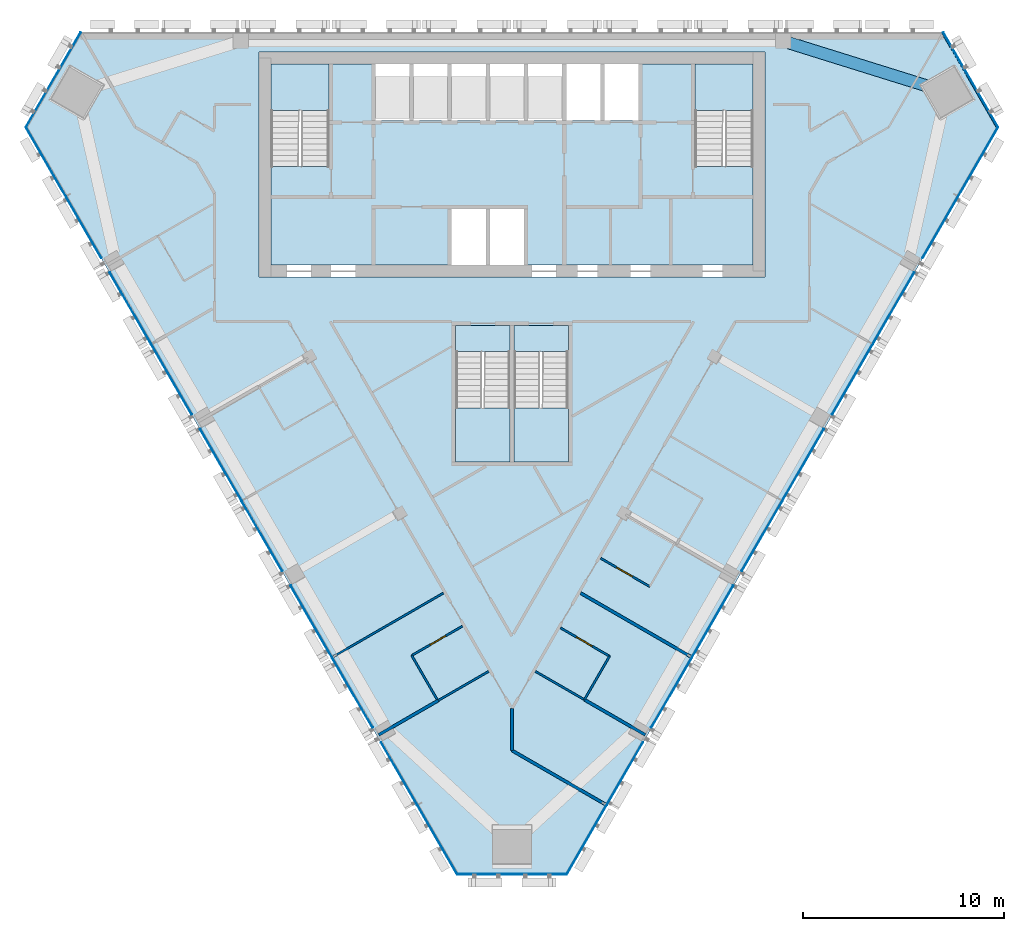
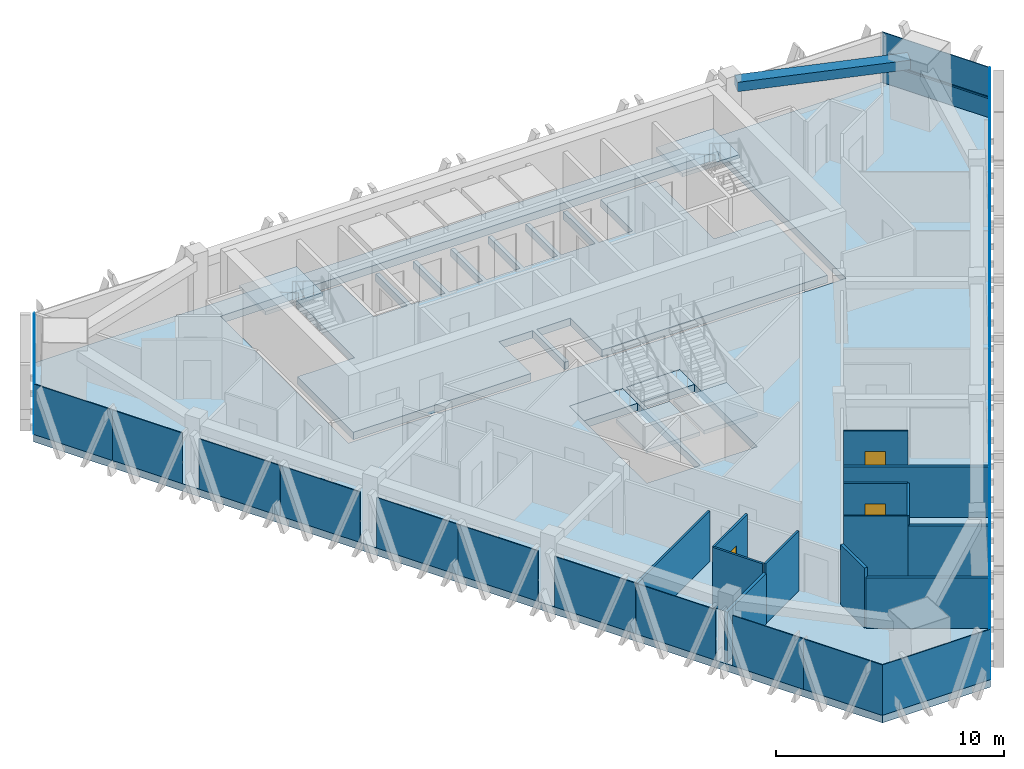
# One storey, part 7 of 14: 23 plates, 13 walls, 8 slabs, 3 doors, 1 beam, 1 member, 3 openings, 9 elements without a shape of their own.
"""IFC4 building model written with IfcOpenShell, lengths in metres."""

from ifc_helpers import new_model, si_unit, direction, frame, frame_2d, origin, origin_2d, place, context, subcontext, project, spatial, polyline, rectangle, outline, extrude, material, layer, layer_set, material_profile, profile_set, type_object, element, fill, aggregate, save


model = new_model("IFC4")

# Units and contexts
model_context = context("Model", 3, precision=1e-05, world=origin(), true_north=direction((0.0, 1.0)))
body_context = subcontext(model_context, "Body", "Model", "MODEL_VIEW")
ifc_project = project(units=[si_unit("LENGTHUNIT", "METRE"), si_unit("AREAUNIT", "SQUARE_METRE"), si_unit("VOLUMEUNIT", "CUBIC_METRE"), si_unit("PLANEANGLEUNIT", "RADIAN"), si_unit("MASSUNIT", "GRAM", prefix="KILO")], contexts=[model_context])

# Site, building, storey
site_placement = place(None, origin())
site = spatial("IfcSite", under=ifc_project, at=site_placement, CompositionType="ELEMENT")
building_placement = place(site_placement, origin())
building = spatial("IfcBuilding", under=site, at=building_placement, Name="Altiplano Prism Tower", CompositionType="ELEMENT")
storey_placement = place(building_placement, frame((0.0, 0.0, 239.199951171875)))
storey = spatial("IfcBuildingStorey", under=building, at=storey_placement, Name="L61", CompositionType="ELEMENT", Elevation=239.199951171875)

# Curtain wall, member
ifc_material_1 = material(Name="Aluminium and glass", Category="aluminium")
ifc_layer_1 = layer(ifc_material_1, 0.280029296875)
ifc_layer_set_1 = layer_set([ifc_layer_1], Name="Aluminium and glass")
curtain_wall_type = type_object("IfcCurtainWallType", Name="CW1 typical co-living unitised curtain wall", PredefinedType="NOTDEFINED", material=ifc_layer_set_1)
curtain_wall_1_placement = place(storey_placement, origin())
curtain_wall_1 = element("IfcCurtainWall", 1, at=curtain_wall_1_placement, inside=storey, type_object=curtain_wall_type, Name="CW1 curtain wall north-east chamfer L61", PredefinedType="NOTDEFINED")
ifc_material_2 = material(Name="Aluminium", Category="aluminium")
ifc_material_profile_1 = material_profile(ifc_material_2, rectangle(XDim=0.06005859375, YDim=0.080078125, at=origin_2d()), Name="CW1 transom 80 x 60")
ifc_profile_set_1 = profile_set([ifc_material_profile_1], Name="Aluminium")
member_type = type_object("IfcMemberType", Name="CW1 transom 80 x 60", PredefinedType="USERDEFINED", material=ifc_profile_set_1)
member_placement = place(storey_placement, frame((109.151123046875, 100.23388671875, 1.10009765625), z_axis=(-0.500017734461, 0.866015164547, 0.0), x_axis=(-0.866015164547, -0.500017734461, 0.0)))
member = element("IfcMember", 2, at=member_placement, type_object=member_type, Name="CW1 transom", ObjectType="TRANSOM", PredefinedType="USERDEFINED", context=body_context, shape_type="SweptSolid", body=[
    extrude(rectangle(XDim=0.06005859375, YDim=0.080078125, at=origin_2d()), origin(), (0.0, 0.0, 1.0), 5.463134765625),
])

# Beam
ifc_material_3 = material(Name="Concrete C60/75", Category="concrete")
ifc_material_profile_2 = material_profile(ifc_material_3, rectangle(XDim=0.60009765625, YDim=0.5, at=origin_2d()), Name="Edge beam 600x500")
ifc_profile_set_2 = profile_set([ifc_material_profile_2], Name="Concrete C60/75")
beam_type = type_object("IfcBeamType", Name="Edge beam 600x500", PredefinedType="SPANDREL", material=ifc_profile_set_2)
beam_placement = place(storey_placement, frame((106.188232421875, 102.15185546875, 2.949951171875), z_axis=(-0.954636177286, 0.297774695058, 0.0), x_axis=(-0.297774695058, -0.954636177286, 0.0)))
element("IfcBeam", 3, at=beam_placement, inside=storey, type_object=beam_type, Name="Edge beam M2-P01 L62", PredefinedType="SPANDREL", context=body_context, shape_type="SweptSolid", body=[
    extrude(rectangle(XDim=0.60009765625, YDim=0.5, at=origin_2d()), origin(), (0.0, 0.0, 1.0), 7.78076171875),
])

# Curtain wall, plate
curtain_wall_2_placement = place(storey_placement, origin())
curtain_wall_2 = element("IfcCurtainWall", 4, at=curtain_wall_2_placement, inside=storey, type_object=curtain_wall_type, Name="CW1 curtain wall north-west chamfer L61", PredefinedType="NOTDEFINED")
ifc_material_4 = material(Name="Clear glass", Category="glass")
ifc_layer_2 = layer(ifc_material_4, 0.0400390625)
ifc_layer_set_2 = layer_set([ifc_layer_2], Name="Clear glass")
plate_type = type_object("IfcPlateType", Name="CW1 insulated glass unit 40", PredefinedType="CURTAIN_PANEL", material=ifc_layer_set_2)
plate_1_placement = place(storey_placement, frame((62.17138671875, 102.62451171875, 0.0), z_axis=(0.0, 0.0, 1.0), x_axis=(-0.499999932935, -0.866025442505, 0.0)))
plate_1 = element("IfcPlate", 5, at=plate_1_placement, type_object=plate_type, Name="CW1 panel", PredefinedType="CURTAIN_PANEL", context=body_context, shape_type="SweptSolid", body=[
    extrude(rectangle(XDim=5.453125, YDim=0.0400390625, at=origin_2d()), origin(), (0.0, 0.0, 1.0), 2.699951171875),
])
aggregate(curtain_wall_2, [plate_1])

# Curtain wall, plates
curtain_wall_3_placement = place(storey_placement, origin())
curtain_wall_3 = element("IfcCurtainWall", 6, at=curtain_wall_3_placement, inside=storey, type_object=curtain_wall_type, Name="CW1 curtain wall south-west face L61", PredefinedType="NOTDEFINED")
plate_2_placement = place(storey_placement, frame((61.80322265625, 98.551025390625, 0.0), z_axis=(0.0, 0.0, 1.0), x_axis=(0.500000001753, -0.866025402772, 0.0)))
plate_2 = element("IfcPlate", 7, at=plate_2_placement, type_object=plate_type, Name="CW1 panel", PredefinedType="CURTAIN_PANEL", context=body_context, shape_type="SweptSolid", body=[
    extrude(rectangle(XDim=3.97998046875, YDim=0.0400390625, at=origin_2d()), origin(), (0.0, 0.0, 1.0), 2.699951171875),
])
plate_3_placement = place(storey_placement, frame((63.6845703125, 95.29248046875, 0.0), z_axis=(0.0, 0.0, 1.0), x_axis=(0.500000001753, -0.866025402772, 0.0)))
plate_3 = element("IfcPlate", 8, at=plate_3_placement, type_object=plate_type, Name="CW1 panel", PredefinedType="CURTAIN_PANEL", context=body_context, shape_type="SweptSolid", body=[
    extrude(rectangle(XDim=3.525634765625, YDim=0.0400390625, at=origin_2d()), origin(), (0.0, 0.0, 1.0), 2.699951171875),
])
plate_4_placement = place(storey_placement, frame((66.0146484375, 91.256591796875, 0.0), z_axis=(0.0, 0.0, 1.0), x_axis=(0.500000001753, -0.866025402772, 0.0)))
plate_4 = element("IfcPlate", 9, at=plate_4_placement, type_object=plate_type, Name="CW1 panel", PredefinedType="CURTAIN_PANEL", context=body_context, shape_type="SweptSolid", body=[
    extrude(rectangle(XDim=4.114501953125, YDim=0.0400390625, at=origin_2d()), origin(), (0.0, 0.0, 1.0), 2.699951171875),
])
plate_5_placement = place(storey_placement, frame((68.05712890625, 87.718994140625, 0.0), z_axis=(0.0, 0.0, 1.0), x_axis=(0.500000001753, -0.866025402772, 0.0)))
plate_5 = element("IfcPlate", 10, at=plate_5_placement, type_object=plate_type, Name="CW1 panel", PredefinedType="CURTAIN_PANEL", context=body_context, shape_type="SweptSolid", body=[
    extrude(rectangle(XDim=4.035400390625, YDim=0.0400390625, at=origin_2d()), origin(), (0.0, 0.0, 1.0), 2.699951171875),
])
plate_6_placement = place(storey_placement, frame((70.5146484375, 83.46240234375, 0.0), z_axis=(0.0, 0.0, 1.0), x_axis=(0.500000001753, -0.866025402772, 0.0)))
plate_6 = element("IfcPlate", 11, at=plate_6_placement, type_object=plate_type, Name="CW1 panel", PredefinedType="CURTAIN_PANEL", context=body_context, shape_type="SweptSolid", body=[
    extrude(rectangle(XDim=4.114501953125, YDim=0.0400390625, at=origin_2d()), origin(), (0.0, 0.0, 1.0), 2.699951171875),
])
plate_7_placement = place(storey_placement, frame((72.55712890625, 79.9248046875, 0.0), z_axis=(0.0, 0.0, 1.0), x_axis=(0.500000001753, -0.866025402772, 0.0)))
plate_7 = element("IfcPlate", 12, at=plate_7_placement, type_object=plate_type, Name="CW1 panel", PredefinedType="CURTAIN_PANEL", context=body_context, shape_type="SweptSolid", body=[
    extrude(rectangle(XDim=4.035400390625, YDim=0.0400390625, at=origin_2d()), origin(), (0.0, 0.0, 1.0), 2.699951171875),
])
plate_8_placement = place(storey_placement, frame((75.0146484375, 75.668212890625, 0.0), z_axis=(0.0, 0.0, 1.0), x_axis=(0.500000001753, -0.866025402772, 0.0)))
plate_8 = element("IfcPlate", 13, at=plate_8_placement, type_object=plate_type, Name="CW1 panel", PredefinedType="CURTAIN_PANEL", context=body_context, shape_type="SweptSolid", body=[
    extrude(rectangle(XDim=4.114501953125, YDim=0.0400390625, at=origin_2d()), origin(), (0.0, 0.0, 1.0), 2.699951171875),
])
plate_9_placement = place(storey_placement, frame((77.05712890625, 72.130615234375, 0.0), z_axis=(0.0, 0.0, 1.0), x_axis=(0.500000001753, -0.866025402772, 0.0)))
plate_9 = element("IfcPlate", 14, at=plate_9_placement, type_object=plate_type, Name="CW1 panel", PredefinedType="CURTAIN_PANEL", context=body_context, shape_type="SweptSolid", body=[
    extrude(rectangle(XDim=4.035400390625, YDim=0.0400390625, at=origin_2d()), origin(), (0.0, 0.0, 1.0), 2.699951171875),
])
plate_10_placement = place(storey_placement, frame((79.38720703125, 68.0947265625, 0.0), z_axis=(0.0, 0.0, 1.0), x_axis=(0.500000001753, -0.866025402772, 0.0)))
plate_10 = element("IfcPlate", 15, at=plate_10_placement, type_object=plate_type, Name="CW1 panel", PredefinedType="CURTAIN_PANEL", context=body_context, shape_type="SweptSolid", body=[
    extrude(rectangle(XDim=3.6044921875, YDim=0.0400390625, at=origin_2d()), origin(), (0.0, 0.0, 1.0), 2.699951171875),
])
plate_11_placement = place(storey_placement, frame((81.288330078125, 64.802001953125, 0.0), z_axis=(0.0, 0.0, 1.0), x_axis=(0.500000001753, -0.866025402772, 0.0)))
plate_11 = element("IfcPlate", 16, at=plate_11_placement, type_object=plate_type, Name="CW1 panel", PredefinedType="CURTAIN_PANEL", context=body_context, shape_type="SweptSolid", body=[
    extrude(rectangle(XDim=3.97998046875, YDim=0.0400390625, at=origin_2d()), origin(), (0.0, 0.0, 1.0), 2.699951171875),
])
aggregate(curtain_wall_3, [plate_2, plate_3, plate_4, plate_5, plate_6, plate_7, plate_8, plate_9, plate_10, plate_11])

# Curtain wall, plate
curtain_wall_4_placement = place(storey_placement, origin())
curtain_wall_4 = element("IfcCurtainWall", 17, at=curtain_wall_4_placement, inside=storey, type_object=curtain_wall_type, Name="CW1 curtain wall south chamfer L61", PredefinedType="NOTDEFINED")
plate_12_placement = place(storey_placement, frame((85.0, 63.084228515625, 0.0), z_axis=(0.0, 0.0, 1.0), x_axis=(1.0, 0.0, 0.0)))
plate_12 = element("IfcPlate", 18, at=plate_12_placement, type_object=plate_type, Name="CW1 panel", PredefinedType="CURTAIN_PANEL", context=body_context, shape_type="SweptSolid", body=[
    extrude(rectangle(XDim=5.453125, YDim=0.0400390625, at=origin_2d()), origin(), (0.0, 0.0, 1.0), 2.699951171875),
])
aggregate(curtain_wall_4, [plate_12])

# Curtain wall, plates
curtain_wall_5_placement = place(storey_placement, origin())
curtain_wall_5 = element("IfcCurtainWall", 19, at=curtain_wall_5_placement, inside=storey, type_object=curtain_wall_type, Name="CW1 curtain wall south-east face L61", PredefinedType="NOTDEFINED")
plate_13_placement = place(storey_placement, frame((88.711669921875, 64.802001953125, 0.0), z_axis=(0.0, 0.0, 1.0), x_axis=(0.500000001753, 0.866025402772, 0.0)))
plate_13 = element("IfcPlate", 20, at=plate_13_placement, type_object=plate_type, Name="CW1 panel", PredefinedType="CURTAIN_PANEL", context=body_context, shape_type="SweptSolid", body=[
    extrude(rectangle(XDim=3.97998046875, YDim=0.0400390625, at=origin_2d()), origin(), (0.0, 0.0, 1.0), 2.699951171875),
])
plate_14_placement = place(storey_placement, frame((90.61279296875, 68.0947265625, 0.0), z_axis=(0.0, 0.0, 1.0), x_axis=(0.500000001753, 0.866025402772, 0.0)))
plate_14 = element("IfcPlate", 21, at=plate_14_placement, type_object=plate_type, Name="CW1 panel", PredefinedType="CURTAIN_PANEL", context=body_context, shape_type="SweptSolid", body=[
    extrude(rectangle(XDim=3.6044921875, YDim=0.0400390625, at=origin_2d()), origin(), (0.0, 0.0, 1.0), 2.699951171875),
])
plate_15_placement = place(storey_placement, frame((92.94287109375, 72.130615234375, 0.0), z_axis=(0.0, 0.0, 1.0), x_axis=(0.500000001753, 0.866025402772, 0.0)))
plate_15 = element("IfcPlate", 22, at=plate_15_placement, type_object=plate_type, Name="CW1 panel", PredefinedType="CURTAIN_PANEL", context=body_context, shape_type="SweptSolid", body=[
    extrude(rectangle(XDim=4.035400390625, YDim=0.0400390625, at=origin_2d()), origin(), (0.0, 0.0, 1.0), 2.699951171875),
])
plate_16_placement = place(storey_placement, frame((94.9853515625, 75.668212890625, 0.0), z_axis=(0.0, 0.0, 1.0), x_axis=(0.500000001753, 0.866025402772, 0.0)))
plate_16 = element("IfcPlate", 23, at=plate_16_placement, type_object=plate_type, Name="CW1 panel", PredefinedType="CURTAIN_PANEL", context=body_context, shape_type="SweptSolid", body=[
    extrude(rectangle(XDim=4.114501953125, YDim=0.0400390625, at=origin_2d()), origin(), (0.0, 0.0, 1.0), 2.699951171875),
])
plate_17_placement = place(storey_placement, frame((97.44287109375, 79.9248046875, 0.0), z_axis=(0.0, 0.0, 1.0), x_axis=(0.500000001753, 0.866025402772, 0.0)))
plate_17 = element("IfcPlate", 24, at=plate_17_placement, type_object=plate_type, Name="CW1 panel", PredefinedType="CURTAIN_PANEL", context=body_context, shape_type="SweptSolid", body=[
    extrude(rectangle(XDim=4.035400390625, YDim=0.0400390625, at=origin_2d()), origin(), (0.0, 0.0, 1.0), 2.699951171875),
])
plate_18_placement = place(storey_placement, frame((99.4853515625, 83.46240234375, 0.0), z_axis=(0.0, 0.0, 1.0), x_axis=(0.500000001753, 0.866025402772, 0.0)))
plate_18 = element("IfcPlate", 25, at=plate_18_placement, type_object=plate_type, Name="CW1 panel", PredefinedType="CURTAIN_PANEL", context=body_context, shape_type="SweptSolid", body=[
    extrude(rectangle(XDim=4.114501953125, YDim=0.0400390625, at=origin_2d()), origin(), (0.0, 0.0, 1.0), 2.699951171875),
])
plate_19_placement = place(storey_placement, frame((101.94287109375, 87.718994140625, 0.0), z_axis=(0.0, 0.0, 1.0), x_axis=(0.500000001753, 0.866025402772, 0.0)))
plate_19 = element("IfcPlate", 26, at=plate_19_placement, type_object=plate_type, Name="CW1 panel", PredefinedType="CURTAIN_PANEL", context=body_context, shape_type="SweptSolid", body=[
    extrude(rectangle(XDim=4.035400390625, YDim=0.0400390625, at=origin_2d()), origin(), (0.0, 0.0, 1.0), 2.699951171875),
])
plate_20_placement = place(storey_placement, frame((103.9853515625, 91.256591796875, 0.0), z_axis=(0.0, 0.0, 1.0), x_axis=(0.500000001753, 0.866025402772, 0.0)))
plate_20 = element("IfcPlate", 27, at=plate_20_placement, type_object=plate_type, Name="CW1 panel", PredefinedType="CURTAIN_PANEL", context=body_context, shape_type="SweptSolid", body=[
    extrude(rectangle(XDim=4.114501953125, YDim=0.0400390625, at=origin_2d()), origin(), (0.0, 0.0, 1.0), 2.699951171875),
])
plate_21_placement = place(storey_placement, frame((106.3154296875, 95.29248046875, 0.0), z_axis=(0.0, 0.0, 1.0), x_axis=(0.500000001753, 0.866025402772, 0.0)))
plate_21 = element("IfcPlate", 28, at=plate_21_placement, type_object=plate_type, Name="CW1 panel", PredefinedType="CURTAIN_PANEL", context=body_context, shape_type="SweptSolid", body=[
    extrude(rectangle(XDim=3.525634765625, YDim=0.0400390625, at=origin_2d()), origin(), (0.0, 0.0, 1.0), 2.699951171875),
])
plate_22_placement = place(storey_placement, frame((108.19677734375, 98.551025390625, 0.0), z_axis=(0.0, 0.0, 1.0), x_axis=(0.500000001753, 0.866025402772, 0.0)))
plate_22 = element("IfcPlate", 29, at=plate_22_placement, type_object=plate_type, Name="CW1 panel", PredefinedType="CURTAIN_PANEL", context=body_context, shape_type="SweptSolid", body=[
    extrude(rectangle(XDim=3.97998046875, YDim=0.0400390625, at=origin_2d()), origin(), (0.0, 0.0, 1.0), 2.699951171875),
])
aggregate(curtain_wall_5, [plate_13, plate_14, plate_15, plate_16, plate_17, plate_18, plate_19, plate_20, plate_21, plate_22])

# Plate
plate_23_placement = place(storey_placement, frame((107.82861328125, 102.62451171875, 0.0), z_axis=(0.0, 0.0, 1.0), x_axis=(-0.499999932935, 0.866025442505, 0.0)))
plate_23 = element("IfcPlate", 30, at=plate_23_placement, type_object=plate_type, Name="CW1 panel", PredefinedType="CURTAIN_PANEL", context=body_context, shape_type="SweptSolid", body=[
    extrude(rectangle(XDim=5.453125, YDim=0.0400390625, at=origin_2d()), origin(), (0.0, 0.0, 1.0), 2.699951171875),
])

aggregate(curtain_wall_1, [member, plate_23])

# Slabs
ifc_material_5 = material(Name="Concrete C40/50", Category="concrete")
ifc_layer_3 = layer(ifc_material_5, 0.39990234375)
ifc_layer_set_3 = layer_set([ifc_layer_3], Name="Concrete C40/50")
slab_type_1 = type_object("IfcSlabType", Name="Core floor slab 400", PredefinedType="FLOOR", material=ifc_layer_set_3)
slab_1_placement = place(storey_placement, frame((0.0, 0.0, -0.39990234375)))
element("IfcSlab", 31, at=slab_1_placement, inside=storey, type_object=slab_type_1, Name="Core floor slab L61", PredefinedType="FLOOR", context=body_context, shape_type="SweptSolid", body=[
    extrude(outline(polyline([(97.0, 98.31005859375), (94.10009765625, 98.31005859375), (94.10009765625, 103.39990234375), (91.300048828125, 103.39990234375), (91.300048828125, 100.60009765625), (89.60009765625, 100.60009765625), (89.60009765625, 103.39990234375), (89.39990234375, 103.39990234375), (89.39990234375, 100.60009765625), (87.699951171875, 100.60009765625), (87.699951171875, 103.39990234375), (87.5, 103.39990234375), (87.5, 100.60009765625), (85.800048828125, 100.60009765625), (85.800048828125, 103.39990234375), (85.60009765625, 103.39990234375), (85.60009765625, 100.60009765625), (83.89990234375, 100.60009765625), (83.89990234375, 103.39990234375), (83.699951171875, 103.39990234375), (83.699951171875, 100.60009765625), (82.0, 100.60009765625), (82.0, 103.39990234375), (81.800048828125, 103.39990234375), (81.800048828125, 100.60009765625), (80.10009765625, 100.60009765625), (80.10009765625, 103.39990234375), (79.89990234375, 103.39990234375), (79.89990234375, 100.60009765625), (78.199951171875, 100.60009765625), (78.199951171875, 103.39990234375), (75.89990234375, 103.39990234375), (75.89990234375, 98.31005859375), (73.0, 98.31005859375), (73.0, 93.39990234375), (82.0, 93.39990234375), (82.0, 96.199951171875), (83.699951171875, 96.199951171875), (83.699951171875, 93.39990234375), (83.89990234375, 93.39990234375), (83.89990234375, 96.199951171875), (85.60009765625, 96.199951171875), (85.60009765625, 93.39990234375), (97.0, 93.39990234375), (97.0, 98.31005859375)])), origin(), (0.0, 0.0, 1.0), 0.39990234375),
])
slab_2_placement = place(storey_placement, frame((0.0, 0.0, -0.39990234375)))
element("IfcSlab", 32, at=slab_2_placement, inside=storey, type_object=slab_type_1, Name="Stair 3A landing slab L61", PredefinedType="FLOOR", context=body_context, shape_type="SweptSolid", body=[
    extrude(outline(polyline([(82.199951171875, 89.096923828125), (84.89990234375, 89.096923828125), (84.89990234375, 90.39990234375), (82.199951171875, 90.39990234375), (82.199951171875, 89.096923828125)])), origin(), (0.0, 0.0, 1.0), 0.39990234375),
])
slab_3_placement = place(storey_placement, frame((0.0, 0.0, -0.39990234375)))
element("IfcSlab", 33, at=slab_3_placement, inside=storey, type_object=slab_type_1, Name="Stair 3B landing slab L61", PredefinedType="FLOOR", context=body_context, shape_type="SweptSolid", body=[
    extrude(outline(polyline([(85.10009765625, 89.096923828125), (87.800048828125, 89.096923828125), (87.800048828125, 90.39990234375), (85.10009765625, 90.39990234375), (85.10009765625, 89.096923828125)])), origin(), (0.0, 0.0, 1.0), 0.39990234375),
])
ifc_layer_4 = layer(ifc_material_5, 0.39990234375)
ifc_layer_set_4 = layer_set([ifc_layer_4], Name="Concrete C40/50")
slab_type_2 = type_object("IfcSlabType", Name="Post-tensioned flat slab 400", PredefinedType="FLOOR", material=ifc_layer_set_4)
slab_4_placement = place(storey_placement, frame((0.0, 0.0, -0.39990234375)))
element("IfcSlab", 34, at=slab_4_placement, inside=storey, type_object=slab_type_2, Name="Floor slab L61", PredefinedType="FLOOR", context=body_context, shape_type="SweptSolid", body=[
    extrude(outline(polyline([(82.2685546875, 63.064208984375), (60.788330078125, 100.268798828125), (63.519775390625, 105.0), (106.480224609375, 105.0), (109.211669921875, 100.268798828125), (87.7314453125, 63.064208984375), (82.2685546875, 63.064208984375)]), holes=[polyline([(72.39990234375, 104.0), (72.39990234375, 92.800048828125), (97.60009765625, 92.800048828125), (97.60009765625, 104.0), (72.39990234375, 104.0)]), polyline([(84.89990234375, 90.39990234375), (82.199951171875, 90.39990234375), (82.199951171875, 83.60009765625), (84.89990234375, 83.60009765625), (84.89990234375, 90.39990234375)]), polyline([(87.800048828125, 83.60009765625), (87.800048828125, 90.39990234375), (85.10009765625, 90.39990234375), (85.10009765625, 83.60009765625), (87.800048828125, 83.60009765625)])]), origin(), (0.0, 0.0, 1.0), 0.39990234375),
])

# Stair, slab
stair_type_1 = type_object("IfcStairType", Name="Exit stair 1400", PredefinedType="HALF_TURN_STAIR", material=ifc_material_5)
stair_1_placement = place(storey_placement, origin())
stair_1 = element("IfcStair", 35, at=stair_1_placement, inside=storey, type_object=stair_type_1, Name="L61 Exit Stair 1", PredefinedType="HALF_TURN_STAIR")
ifc_layer_5 = layer(ifc_material_5, 0.199951171875)
ifc_layer_set_5 = layer_set([ifc_layer_5], Name="Concrete C40/50")
slab_type_3 = type_object("IfcSlabType", Name="Stair landing 200", PredefinedType="LANDING", material=ifc_layer_set_5)
slab_5_placement = place(storey_placement, frame((0.0, 0.0, 1.60009765625)))
slab_5 = element("IfcSlab", 36, at=slab_5_placement, type_object=slab_type_3, Name="ST1 landing 1", PredefinedType="LANDING", context=body_context, shape_type="SweptSolid", body=[
    extrude(outline(polyline([(75.89990234375, 101.096923828125), (75.89990234375, 103.39990234375), (73.0, 103.39990234375), (73.0, 101.096923828125), (75.89990234375, 101.096923828125)])), origin(), (0.0, 0.0, 1.0), 0.199951171875),
])
aggregate(stair_1, [slab_5])

stair_2_placement = place(storey_placement, origin())
stair_2 = element("IfcStair", 37, at=stair_2_placement, inside=storey, type_object=stair_type_1, Name="L61 Exit Stair 2", PredefinedType="HALF_TURN_STAIR")
slab_6_placement = place(storey_placement, frame((0.0, 0.0, 1.60009765625)))
slab_6 = element("IfcSlab", 38, at=slab_6_placement, type_object=slab_type_3, Name="ST2 landing 1", PredefinedType="LANDING", context=body_context, shape_type="SweptSolid", body=[
    extrude(outline(polyline([(97.0, 101.096923828125), (97.0, 103.39990234375), (94.10009765625, 103.39990234375), (94.10009765625, 101.096923828125), (97.0, 101.096923828125)])), origin(), (0.0, 0.0, 1.0), 0.199951171875),
])
aggregate(stair_2, [slab_6])

stair_type_2 = type_object("IfcStairType", Name="Exit stair 1300", PredefinedType="HALF_TURN_STAIR", material=ifc_material_5)
stair_3_placement = place(storey_placement, origin())
stair_3 = element("IfcStair", 39, at=stair_3_placement, inside=storey, type_object=stair_type_2, Name="L61 Exit Stair 3A", PredefinedType="HALF_TURN_STAIR")
slab_7_placement = place(storey_placement, frame((0.0, 0.0, 1.60009765625)))
slab_7 = element("IfcSlab", 40, at=slab_7_placement, type_object=slab_type_3, Name="ST3A landing 1", PredefinedType="LANDING", context=body_context, shape_type="SweptSolid", body=[
    extrude(outline(polyline([(82.199951171875, 86.302978515625), (82.199951171875, 83.60009765625), (84.89990234375, 83.60009765625), (84.89990234375, 86.302978515625), (82.199951171875, 86.302978515625)])), origin(), (0.0, 0.0, 1.0), 0.199951171875),
])
aggregate(stair_3, [slab_7])

stair_4_placement = place(storey_placement, origin())
stair_4 = element("IfcStair", 41, at=stair_4_placement, inside=storey, type_object=stair_type_2, Name="L61 Exit Stair 3B", PredefinedType="HALF_TURN_STAIR")
slab_8_placement = place(storey_placement, frame((0.0, 0.0, 1.60009765625)))
slab_8 = element("IfcSlab", 42, at=slab_8_placement, type_object=slab_type_3, Name="ST3B landing 1", PredefinedType="LANDING", context=body_context, shape_type="SweptSolid", body=[
    extrude(outline(polyline([(85.10009765625, 86.302978515625), (85.10009765625, 83.60009765625), (87.800048828125, 83.60009765625), (87.800048828125, 86.302978515625), (85.10009765625, 86.302978515625)])), origin(), (0.0, 0.0, 1.0), 0.199951171875),
])
aggregate(stair_4, [slab_8])

# Wall
ifc_material_6 = material(Name="Plasterboard on steel stud", Category="steel")
ifc_layer_6 = layer(ifc_material_6, 0.10009765625)
ifc_layer_set_6 = layer_set([ifc_layer_6], Name="Plasterboard on steel stud")
wall_type_1 = type_object("IfcWallType", Name="Partition 100 unit", PredefinedType="PARTITIONING", material=ifc_layer_set_6)
wall_1_placement = place(storey_placement, frame((81.27197265625, 71.7900390625, 0.0), z_axis=(0.0, 0.0, 1.0), x_axis=(-0.499976333282, 0.866039067339, 0.0)))
element("IfcWall", 43, at=wall_1_placement, inside=storey, type_object=wall_type_1, Name="Partition P02 L61 040", PredefinedType="PARTITIONING", context=body_context, shape_type="SweptSolid", body=[
    extrude(rectangle(XDim=2.52490234375, YDim=0.10009765625, at=frame_2d((1.262451171875, 0.0))), origin(), (0.0, 0.0, 1.0), 3.199951171875),
])

# Wall, opening, door
wall_2_placement = place(storey_placement, frame((80.009521484375, 73.976806640625, 0.0), z_axis=(0.0, 0.0, 1.0), x_axis=(0.86601045545, 0.500025890382, 0.0)))
wall_2 = element("IfcWall", 44, at=wall_2_placement, inside=storey, type_object=wall_type_1, Name="Partition P02 L61 041", PredefinedType="PARTITIONING", context=body_context, shape_type="SweptSolid", body=[
    extrude(rectangle(XDim=2.925048828125, YDim=0.10009765625, at=frame_2d((1.46240234375, 0.0))), origin(), (0.0, 0.0, 1.0), 3.199951171875),
])
opening_1_placement = place(wall_2_placement, frame((1.050048828125, 0.0, 0.0)))
opening_1 = element("IfcOpeningElement", 45, at=opening_1_placement, cuts=wall_2, Name="Opening D2003", PredefinedType="OPENING", context=body_context, shape_type="SweptSolid", body=[
    extrude(rectangle(XDim=0.89990234375, YDim=2.10009765625, at=frame_2d((0.449951171875, 1.050048828125))), frame((0.0, 0.060546875, 0.0), z_axis=(0.0, -1.0, 0.0), x_axis=(1.0, 0.0, 0.0)), (0.0, 0.0, 1.0), 0.12109375),
])
ifc_material_7 = material(Name="Timber", Category="wood")
door_type = type_object("IfcDoorType", Name="Ensuite door 900 x 2100", OperationType="NOTDEFINED", PredefinedType="NOTDEFINED", material=ifc_material_7)
door_1_placement = place(opening_1_placement, origin())
door_1 = element("IfcDoor", 46, at=door_1_placement, inside=storey, type_object=door_type, Name="Door D2003", OperationType="SINGLE_SWING_LEFT", OverallHeight=2.10009765625, OverallWidth=0.89990234375, PredefinedType="NOTDEFINED", context=body_context, shape_type="SweptSolid", body=[
    extrude(rectangle(XDim=0.89990234375, YDim=2.10009765625, at=frame_2d((0.449951171875, 1.050048828125))), frame((0.0, 0.02490234375, 0.0), z_axis=(0.0, -1.0, 0.0), x_axis=(1.0, 0.0, 0.0)), (0.0, 0.0, 1.0), 0.050048828125),
])
fill(opening_1, door_1)

wall_3_placement = place(storey_placement, frame((87.407470703125, 75.352783203125, 0.0), z_axis=(0.0, 0.0, 1.0), x_axis=(0.866011447264, -0.500024172624, 0.0)))
wall_3 = element("IfcWall", 47, at=wall_3_placement, inside=storey, type_object=wall_type_1, Name="Partition P02 L61 048", PredefinedType="PARTITIONING", context=body_context, shape_type="SweptSolid", body=[
    extrude(rectangle(XDim=2.824951171875, YDim=0.10009765625, at=frame_2d((1.41259765625, 0.0))), origin(), (0.0, 0.0, 1.0), 3.199951171875),
])
opening_2_placement = place(wall_3_placement, frame((0.925048828125, 0.0, 0.0)))
opening_2 = element("IfcOpeningElement", 48, at=opening_2_placement, cuts=wall_3, Name="Opening D2007", PredefinedType="OPENING", context=body_context, shape_type="SweptSolid", body=[
    extrude(rectangle(XDim=0.89990234375, YDim=2.10009765625, at=frame_2d((0.449951171875, 1.050048828125))), frame((0.0, 0.060546875, 0.0), z_axis=(0.0, -1.0, 0.0), x_axis=(1.0, 0.0, 0.0)), (0.0, 0.0, 1.0), 0.12109375),
])
door_2_placement = place(opening_2_placement, origin())
door_2 = element("IfcDoor", 49, at=door_2_placement, inside=storey, type_object=door_type, Name="Door D2007", OperationType="SINGLE_SWING_RIGHT", OverallHeight=2.10009765625, OverallWidth=0.89990234375, PredefinedType="NOTDEFINED", context=body_context, shape_type="SweptSolid", body=[
    extrude(rectangle(XDim=0.89990234375, YDim=2.10009765625, at=frame_2d((0.449951171875, 1.050048828125))), frame((0.0, 0.02490234375, 0.0), z_axis=(0.0, -1.0, 0.0), x_axis=(1.0, 0.0, 0.0)), (0.0, 0.0, 1.0), 0.050048828125),
])
fill(opening_2, door_2)

# Wall
wall_4_placement = place(storey_placement, frame((89.85400390625, 73.940185546875, 0.0), z_axis=(0.0, 0.0, 1.0), x_axis=(-0.500004234368, -0.866022959057, 0.0)))
element("IfcWall", 50, at=wall_4_placement, inside=storey, type_object=wall_type_1, Name="Partition P02 L61 049", PredefinedType="PARTITIONING", context=body_context, shape_type="SweptSolid", body=[
    extrude(rectangle(XDim=2.5, YDim=0.10009765625, at=frame_2d((1.25, 0.0))), origin(), (0.0, 0.0, 1.0), 3.199951171875),
])

# Wall, opening, door
wall_5_placement = place(storey_placement, frame((91.85400390625, 77.404296875, 0.0), z_axis=(0.0, 0.0, 1.0), x_axis=(-0.866011447264, 0.500024172624, 0.0)))
wall_5 = element("IfcWall", 51, at=wall_5_placement, inside=storey, type_object=wall_type_1, Name="Partition P02 L61 052", PredefinedType="PARTITIONING", context=body_context, shape_type="SweptSolid", body=[
    extrude(rectangle(XDim=2.824951171875, YDim=0.10009765625, at=frame_2d((1.41259765625, 0.0))), origin(), (0.0, 0.0, 1.0), 3.199951171875),
])
opening_3_placement = place(wall_5_placement, frame((1.0, 0.0, 0.0)))
opening_3 = element("IfcOpeningElement", 52, at=opening_3_placement, cuts=wall_5, Name="Opening D2009", PredefinedType="OPENING", context=body_context, shape_type="SweptSolid", body=[
    extrude(rectangle(XDim=0.89990234375, YDim=2.10009765625, at=frame_2d((0.449951171875, 1.050048828125))), frame((0.0, 0.060546875, 0.0), z_axis=(0.0, -1.0, 0.0), x_axis=(1.0, 0.0, 0.0)), (0.0, 0.0, 1.0), 0.12109375),
])
door_3_placement = place(opening_3_placement, origin())
door_3 = element("IfcDoor", 53, at=door_3_placement, inside=storey, type_object=door_type, Name="Door D2009", OperationType="SINGLE_SWING_LEFT", OverallHeight=2.10009765625, OverallWidth=0.89990234375, PredefinedType="NOTDEFINED", context=body_context, shape_type="SweptSolid", body=[
    extrude(rectangle(XDim=0.89990234375, YDim=2.10009765625, at=frame_2d((0.449951171875, 1.050048828125))), frame((0.0, 0.02490234375, 0.0), z_axis=(0.0, -1.0, 0.0), x_axis=(1.0, 0.0, 0.0)), (0.0, 0.0, 1.0), 0.050048828125),
])
fill(opening_3, door_3)

# Walls
ifc_layer_7 = layer(ifc_material_6, 0.10009765625)
ifc_layer_set_7 = layer_set([ifc_layer_7], Name="Plasterboard on steel stud")
wall_type_2 = type_object("IfcWallType", Name="Partition 100 wet", PredefinedType="PARTITIONING", material=ifc_layer_set_7)
wall_6_placement = place(storey_placement, frame((76.097412109375, 73.912109375, 0.0), z_axis=(0.0, 0.0, 1.0), x_axis=(0.866025401434, 0.500000004071, 0.0)))
element("IfcWall", 54, at=wall_6_placement, inside=storey, type_object=wall_type_2, Name="Partition P03 L61 039", PredefinedType="PARTITIONING", context=body_context, shape_type="SweptSolid", body=[
    extrude(rectangle(XDim=6.34521484375, YDim=0.10009765625, at=frame_2d((3.172607421875, 0.0))), origin(), (0.0, 0.0, 1.0), 2.699951171875),
])
wall_7_placement = place(storey_placement, frame((81.326904296875, 71.735107421875, 0.0), z_axis=(0.0, 0.0, 1.0), x_axis=(0.865989634427, 0.500061949227, 0.0)))
element("IfcWall", 55, at=wall_7_placement, inside=storey, type_object=wall_type_2, Name="Partition P03 L61 043", PredefinedType="PARTITIONING", context=body_context, shape_type="SweptSolid", body=[
    extrude(rectangle(XDim=2.905029296875, YDim=0.10009765625, at=frame_2d((1.45263671875, 0.0))), origin(), (0.0, 0.0, 1.0), 3.199951171875),
])
wall_8_placement = place(storey_placement, frame((88.60400390625, 71.775146484375, 0.0), z_axis=(0.0, 0.0, 1.0), x_axis=(-0.866011447264, 0.500024172624, 0.0)))
element("IfcWall", 56, at=wall_8_placement, inside=storey, type_object=wall_type_2, Name="Partition P03 L61 047", PredefinedType="PARTITIONING", context=body_context, shape_type="SweptSolid", body=[
    extrude(rectangle(XDim=2.824951171875, YDim=0.10009765625, at=frame_2d((1.41259765625, 0.0))), origin(), (0.0, 0.0, 1.0), 3.199951171875),
])
ifc_layer_8 = layer(ifc_material_6, 0.14990234375)
ifc_layer_set_8 = layer_set([ifc_layer_8], Name="Plasterboard on steel stud")
wall_type_3 = type_object("IfcWallType", Name="Partition 150 party", PredefinedType="PARTITIONING", material=ifc_layer_set_8)
wall_9_placement = place(storey_placement, frame((78.364990234375, 70.025146484375, 0.0), z_axis=(0.0, 0.0, 1.0), x_axis=(0.866038183914, 0.499977863513, 0.0)))
element("IfcWall", 57, at=wall_9_placement, inside=storey, type_object=wall_type_3, Name="Partition P01 L61 042", PredefinedType="PARTITIONING", context=body_context, shape_type="SweptSolid", body=[
    extrude(rectangle(XDim=3.420166015625, YDim=0.14990234375, at=frame_2d((1.7099609375, 0.0))), origin(), (0.0, 0.0, 1.0), 2.699951171875),
])
wall_10_placement = place(storey_placement, frame((89.657470703125, 66.5595703125, 0.0), z_axis=(0.0, 0.0, 1.0), x_axis=(-0.866027587406, 0.499996217838, 0.0)))
element("IfcWall", 58, at=wall_10_placement, inside=storey, type_object=wall_type_3, Name="Partition P01 L61 044", PredefinedType="PARTITIONING", context=body_context, shape_type="SweptSolid", body=[
    extrude(rectangle(XDim=5.3779296875, YDim=0.14990234375, at=frame_2d((2.68896484375, 0.0))), origin(), (0.0, 0.0, 1.0), 2.699951171875),
])
wall_11_placement = place(storey_placement, frame((85.0, 69.24853515625, 0.0), z_axis=(0.0, 0.0, 1.0), x_axis=(0.0, 1.0, 0.0)))
element("IfcWall", 59, at=wall_11_placement, inside=storey, type_object=wall_type_3, Name="Partition P01 L61 045", PredefinedType="PARTITIONING", context=body_context, shape_type="SweptSolid", body=[
    extrude(rectangle(XDim=2.08447265625, YDim=0.14990234375, at=frame_2d((1.042236328125, 0.0))), origin(), (0.0, 0.0, 1.0), 3.199951171875),
])
wall_12_placement = place(storey_placement, frame((91.635009765625, 70.025146484375, 0.0), z_axis=(0.0, 0.0, 1.0), x_axis=(-0.866019471182, 0.500010275428, 0.0)))
element("IfcWall", 60, at=wall_12_placement, inside=storey, type_object=wall_type_3, Name="Partition P01 L61 046", PredefinedType="PARTITIONING", context=body_context, shape_type="SweptSolid", body=[
    extrude(rectangle(XDim=3.5, YDim=0.14990234375, at=frame_2d((1.75, 0.0))), origin(), (0.0, 0.0, 1.0), 2.699951171875),
])
wall_13_placement = place(storey_placement, frame((93.902587890625, 73.912109375, 0.0), z_axis=(0.0, 0.0, 1.0), x_axis=(-0.866025401434, 0.500000004071, 0.0)))
element("IfcWall", 61, at=wall_13_placement, inside=storey, type_object=wall_type_3, Name="Partition P01 L61 050", PredefinedType="PARTITIONING", context=body_context, shape_type="SweptSolid", body=[
    extrude(rectangle(XDim=6.34521484375, YDim=0.14990234375, at=frame_2d((3.172607421875, 0.0))), origin(), (0.0, 0.0, 1.0), 2.699951171875),
])

save(model, "model.ifc")
